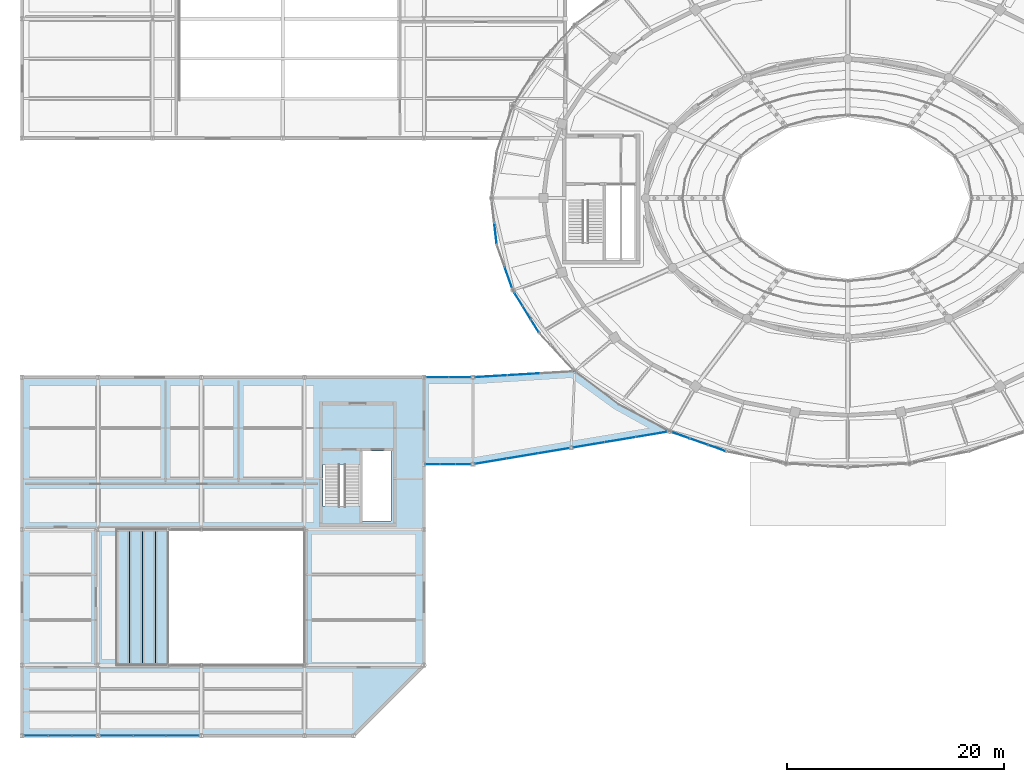
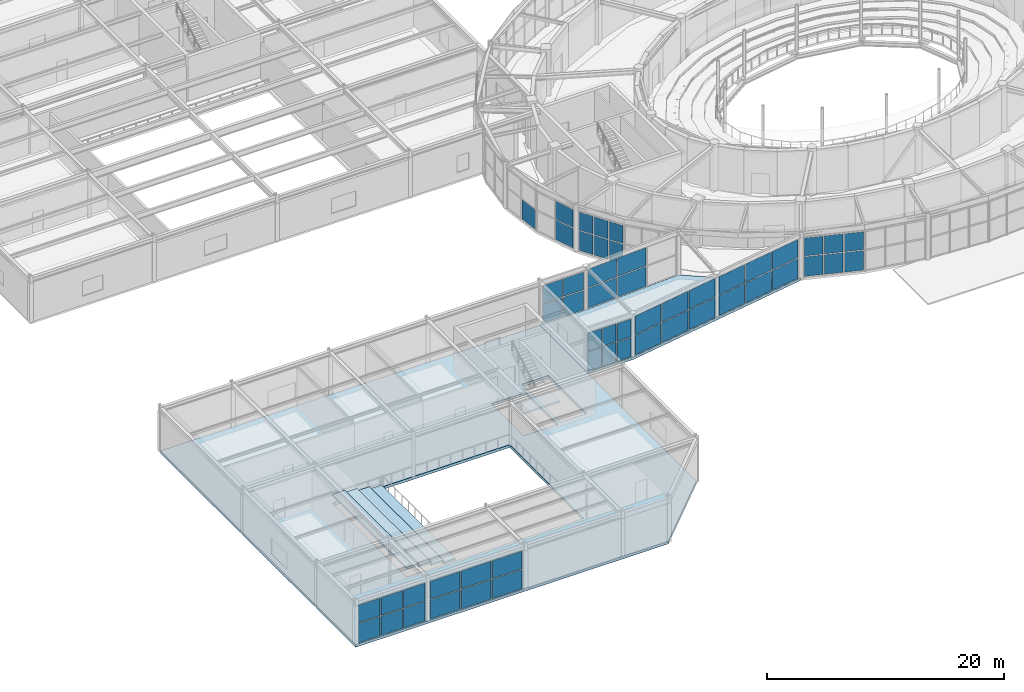
# One storey, part 68 of 100: 53 plates, 7 slabs, 12 elements without a shape of their own.
"""IFC4 building model written with IfcOpenShell, lengths in metres."""

import ifcopenshell
import ifcopenshell.guid

model = None  # the IFC model being written
_history = None  # IfcOwnerHistory: only IFC2X3 demands one
_inside = {}  # id of a spatial element -> (the spatial element, [elements in it])
_under = {}  # id of a project, library or spatial element -> (it, [spatial elements below it])
_declared = {}  # id of a project -> (the project, [libraries it declares])
_typed = {}  # id of a type object -> (the type object, [elements of that type])
_made_of = {}  # id of a material, layer set ... -> (it, [elements and type objects made of it])


def new_model(schema):
    """Start an empty IFC model of exactly this schema.

    Asked for "IFC4X3", IfcOpenShell would pick the latest addendum, in which some entities
    have other attributes; the version numbers below select the first issue.
    IFC2X3 requires an IfcOwnerHistory on every rooted entity: one is made here for all.
    """
    global model, _history
    if schema == "IFC4X3":
        model = ifcopenshell.file(schema_version=(4, 3, 0, 0))
    else:
        model = ifcopenshell.file(schema=schema)
    _inside.clear()
    _under.clear()
    _declared.clear()
    _typed.clear()
    _made_of.clear()
    _history = None
    if model.schema == "IFC2X3":
        org = make("IfcOrganization", Name="unknown")
        user = make(
            "IfcPersonAndOrganization",
            ThePerson=make("IfcPerson", FamilyName="unknown"),
            TheOrganization=org,
        )
        app = make(
            "IfcApplication",
            ApplicationDeveloper=org,
            Version="unknown",
            ApplicationFullName="unknown",
            ApplicationIdentifier="unknown",
        )
        _history = make(
            "IfcOwnerHistory",
            OwningUser=user,
            OwningApplication=app,
            ChangeAction="ADDED",
            CreationDate=0,
        )
    return model


def make(cls, **values):
    """One entity of the class cls with the attributes given. An attribute that is None is left unset."""
    return model.create_entity(
        cls, **{name: value for name, value in values.items() if value is not None}
    )


def rooted(cls, **values):
    """An entity with a GlobalId (a new one), such as an element, a storey or a relation."""
    return make(cls, GlobalId=ifcopenshell.guid.new(), OwnerHistory=_history, **values)


def si_unit(unit_type, name, prefix=None):
    """IfcSIUnit, for example si_unit("LENGTHUNIT", "METRE", prefix="MILLI")."""
    return make("IfcSIUnit", UnitType=unit_type, Prefix=prefix, Name=name)


def assignment(units):
    """IfcUnitAssignment: the units of a project."""
    return None if units is None else make("IfcUnitAssignment", Units=units)


def point(xyz):
    """IfcCartesianPoint."""
    return None if xyz is None else make("IfcCartesianPoint", Coordinates=xyz)


def direction(xyz):
    """IfcDirection."""
    return None if xyz is None else make("IfcDirection", DirectionRatios=xyz)


def frame(location, z_axis=None, x_axis=None):
    """IfcAxis2Placement3D, a coordinate frame: its origin and axes. An axis left out is left unset."""
    return make(
        "IfcAxis2Placement3D",
        Location=point(location),
        Axis=direction(z_axis),
        RefDirection=direction(x_axis),
    )


def frame_2d(location, x_axis=None):
    """IfcAxis2Placement2D, a coordinate frame in the plane: its origin and x axis."""
    return make(
        "IfcAxis2Placement2D", Location=point(location), RefDirection=direction(x_axis)
    )


def origin():
    """The frame at (0, 0, 0) with its axes left unset."""
    return frame((0.0, 0.0, 0.0))


def origin_2d():
    """The frame at (0, 0) in the plane with its x axis left unset."""
    return frame_2d((0.0, 0.0))


def place(relative_to, where):
    """IfcLocalPlacement: puts the frame where relative to a parent placement (None: the world)."""
    return make(
        "IfcLocalPlacement", PlacementRelTo=relative_to, RelativePlacement=where
    )


def context(
    kind, dimensions, precision=None, world=None, true_north=None, identifier=None
):
    """IfcGeometricRepresentationContext, for example the 3D "Model" context."""
    return make(
        "IfcGeometricRepresentationContext",
        ContextIdentifier=identifier,
        ContextType=kind,
        CoordinateSpaceDimension=dimensions,
        Precision=precision,
        WorldCoordinateSystem=world,
        TrueNorth=true_north,
    )


def subcontext(parent, identifier, kind, view, scale=None):
    """IfcGeometricRepresentationSubContext, for example "Body" below "Model"."""
    return make(
        "IfcGeometricRepresentationSubContext",
        ContextIdentifier=identifier,
        ContextType=kind,
        ParentContext=parent,
        TargetScale=scale,
        TargetView=view,
    )


def project(units=None, contexts=None):
    """IfcProject with its units and contexts."""
    return rooted(
        "IfcProject",
        Name="project",
        RepresentationContexts=contexts,
        UnitsInContext=assignment(units),
    )


def spatial(cls, under=None, at=None, **own):
    """A site, building, storey or space (cls), placed at a placement, below another one or the project."""
    s = rooted(cls, ObjectPlacement=at, **own)
    if under is not None:
        _under.setdefault(under.id(), (under, []))[1].append(s)
    return s


def polyline(points):
    """IfcPolyline through the points."""
    return make("IfcPolyline", Points=[point(p) for p in points])


def profile(cls, at=None, kind="AREA", **sizes):
    """A parametric profile (cls). Its sizes go by their IFC names, for example OverallWidth=200.0."""
    return make(cls, ProfileType=kind, Position=at, **sizes)


def rectangle(**sizes):
    """IfcRectangleProfileDef."""
    return profile("IfcRectangleProfileDef", **sizes)


def outline(outer, holes=None, kind="AREA"):
    """IfcArbitraryClosedProfileDef: a profile drawn as a closed curve; with holes, ...WithVoids."""
    if holes is None:
        return make("IfcArbitraryClosedProfileDef", ProfileType=kind, OuterCurve=outer)
    return make(
        "IfcArbitraryProfileDefWithVoids",
        ProfileType=kind,
        OuterCurve=outer,
        InnerCurves=holes,
    )


def extrude(swept, where, along, depth):
    """IfcExtrudedAreaSolid: the profile swept, set in the frame where, extruded along a direction by depth."""
    return make(
        "IfcExtrudedAreaSolid",
        SweptArea=swept,
        Position=where,
        ExtrudedDirection=direction(along),
        Depth=depth,
    )


def shape(context_of_items, identifier, shape_type, items):
    """IfcShapeRepresentation: the items that make up one representation, for example the "Body"."""
    return make(
        "IfcShapeRepresentation",
        ContextOfItems=context_of_items,
        RepresentationIdentifier=identifier,
        RepresentationType=shape_type,
        Items=items,
    )


def material(Name=None, Category=None):
    """IfcMaterial."""
    return make("IfcMaterial", Name=Name, Category=Category)


def layer(
    of_material, thickness, ventilated=None, Name=None, Category=None, Priority=None
):
    """IfcMaterialLayer: one layer of a wall or slab, of a material (None: an air gap)."""
    return make(
        "IfcMaterialLayer",
        Material=of_material,
        LayerThickness=thickness,
        IsVentilated=ventilated,
        Name=Name,
        Category=Category,
        Priority=Priority,
    )


def layer_set(layers, Name=None):
    """IfcMaterialLayerSet."""
    return make("IfcMaterialLayerSet", MaterialLayers=layers, LayerSetName=Name)


def made_of(thing, what):
    """Note that an element or type object is made of a material, layer set ...; save() writes the relation."""
    if what is not None:
        _made_of.setdefault(what.id(), (what, []))[1].append(thing)
    return thing


def type_object(cls, material=None, **own):
    """A type object (cls), such as IfcWallType, which elements share."""
    return made_of(rooted(cls, **own), material)


def element(
    cls,
    number,
    at=None,
    inside=None,
    cuts=None,
    type_object=None,
    material=None,
    context=None,
    identifier="Body",
    shape_type=None,
    held_by="IfcProductDefinitionShape",
    body=None,
    shapes=None,
    **own,
):
    """One element of the class cls, such as IfcWall. Its Tag is "e" and its number.

    at: its placement. inside: the storey or other place that contains it. cuts: it is an
    opening in that element (IfcRelVoidsElement). A single representation is given by context,
    identifier, shape_type and body (its items); several are given by shapes. held_by: the class
    of the entity that holds the representations. save() writes the other relations.
    """
    e = rooted(cls, Tag="e%d" % number, ObjectPlacement=at, **own)
    if body is not None:
        shapes = [shape(context, identifier, shape_type, body)]
    if shapes is not None:
        e.Representation = make(held_by, Representations=shapes)
    if inside is not None:
        _inside.setdefault(inside.id(), (inside, []))[1].append(e)
    if cuts is not None:
        rooted(
            "IfcRelVoidsElement", RelatingBuildingElement=cuts, RelatedOpeningElement=e
        )
    if type_object is not None:
        _typed.setdefault(type_object.id(), (type_object, []))[1].append(e)
    return made_of(e, material)


def aggregate(whole, parts):
    """IfcRelAggregates: a whole, such as a stair, and the parts it consists of."""
    return rooted("IfcRelAggregates", RelatingObject=whole, RelatedObjects=parts)


def save(model, path):
    """Write the relations noted so far, then the file.

    IfcRelAggregates (storeys below a building ...), IfcRelContainedInSpatialStructure (elements
    in a storey), IfcRelDefinesByType, IfcRelAssociatesMaterial and IfcRelDeclares: one each for
    every whole, place, type object, material and project.
    """
    for whole, parts in _under.values():
        aggregate(whole, parts)
    for where, things in _inside.values():
        rooted(
            "IfcRelContainedInSpatialStructure",
            RelatedElements=things,
            RelatingStructure=where,
        )
    for kind, things in _typed.values():
        rooted("IfcRelDefinesByType", RelatedObjects=things, RelatingType=kind)
    for what, things in _made_of.values():
        rooted("IfcRelAssociatesMaterial", RelatedObjects=things, RelatingMaterial=what)
    for by, libraries in _declared.values():
        rooted("IfcRelDeclares", RelatingContext=by, RelatedDefinitions=libraries)
    model.write(path)


model = new_model("IFC4")

# Units and contexts
model_context = context("Model", 3, precision=1e-05, world=origin(), true_north=direction((0.0, 1.0)))
body_context = subcontext(model_context, "Body", "Model", "MODEL_VIEW")
ifc_project = project(units=[si_unit("LENGTHUNIT", "METRE"), si_unit("AREAUNIT", "SQUARE_METRE"), si_unit("VOLUMEUNIT", "CUBIC_METRE"), si_unit("PLANEANGLEUNIT", "RADIAN"), si_unit("MASSUNIT", "GRAM", prefix="KILO")], contexts=[model_context])

# Site, building, storey
site_placement = place(None, origin())
site = spatial("IfcSite", under=ifc_project, at=site_placement, CompositionType="ELEMENT")
building_placement = place(site_placement, origin())
building = spatial("IfcBuilding", under=site, at=building_placement, Name="Tarnveldt Headland Concert Hall", CompositionType="ELEMENT")
storey_placement = place(building_placement, frame((0.0, 0.0, 4.800048828125)))
storey = spatial("IfcBuildingStorey", under=building, at=storey_placement, Name="L01", CompositionType="ELEMENT", Elevation=4.800048828125)

# Curtain wall, plate
ifc_material_1 = material(Name="Marine-anodised aluminium EN AW-6063-T6", Category="aluminium")
curtain_wall_type_1 = type_object("IfcCurtainWallType", Name="CW-F2", PredefinedType="NOTDEFINED", material=ifc_material_1)
curtain_wall_1_placement = place(storey_placement, origin())
curtain_wall_1 = element("IfcCurtainWall", 1, at=curtain_wall_1_placement, inside=storey, type_object=curtain_wall_type_1, Name="Curtain wall CW-L01-045", PredefinedType="NOTDEFINED")
ifc_material_2 = material(Name="Acoustic laminated low-iron double glazing", Category="glass")
ifc_layer_1 = layer(ifc_material_2, 0.030029296875, Name="Acoustic laminated low-iron double glazing", Category="glass")
ifc_layer_set_1 = layer_set([ifc_layer_1], Name="Acoustic laminated low-iron double glazing")
plate_type_1 = type_object("IfcPlateType", Name="PN-F2", PredefinedType="CURTAIN_PANEL", material=ifc_layer_set_1)
plate_1_placement = place(storey_placement, frame((51.077392578125, 51.239501953125, 0.09228515625), z_axis=(0.0, 0.0, 1.0), x_axis=(0.114937150493, -0.9933727656, 0.0)))
plate_1 = element("IfcPlate", 2, at=plate_1_placement, type_object=plate_type_1, Name="Glazed panel CW-L01-045-2-1", PredefinedType="CURTAIN_PANEL", context=body_context, shape_type="SweptSolid", body=[
    extrude(rectangle(XDim=1.906982421875, YDim=0.030029296875, at=origin_2d()), origin(), (0.0, 0.0, 1.0), 2.0283203125),
])
aggregate(curtain_wall_1, [plate_1])

# Curtain wall, plates
curtain_wall_2_placement = place(storey_placement, origin())
curtain_wall_2 = element("IfcCurtainWall", 3, at=curtain_wall_2_placement, inside=storey, type_object=curtain_wall_type_1, Name="Curtain wall CW-L01-046", PredefinedType="NOTDEFINED")
plate_2_placement = place(storey_placement, frame((52.25048828125, 47.224365234375, 0.09228515625), z_axis=(0.0, 0.0, 1.0), x_axis=(0.334037180034, -0.94255989855, 0.0)))
plate_2 = element("IfcPlate", 4, at=plate_2_placement, type_object=plate_type_1, Name="Glazed panel CW-L01-046-2-1", PredefinedType="CURTAIN_PANEL", context=body_context, shape_type="SweptSolid", body=[
    extrude(rectangle(XDim=1.954345703125, YDim=0.030029296875, at=origin_2d()), origin(), (0.0, 0.0, 1.0), 2.0283203125),
])
plate_3_placement = place(storey_placement, frame((52.25048828125, 47.224365234375, 2.20556640625), z_axis=(0.0, 0.0, 1.0), x_axis=(0.334037180034, -0.94255989855, 0.0)))
plate_3 = element("IfcPlate", 5, at=plate_3_placement, type_object=plate_type_1, Name="Glazed panel CW-L01-046-2-2", PredefinedType="CURTAIN_PANEL", context=body_context, shape_type="SweptSolid", body=[
    extrude(rectangle(XDim=1.954345703125, YDim=0.030029296875, at=origin_2d()), origin(), (0.0, 0.0, 1.0), 1.86181640625),
])
aggregate(curtain_wall_2, [plate_2, plate_3])

curtain_wall_3_placement = place(storey_placement, origin())
curtain_wall_3 = element("IfcCurtainWall", 6, at=curtain_wall_3_placement, inside=storey, type_object=curtain_wall_type_1, Name="Curtain wall CW-L01-047", PredefinedType="NOTDEFINED")
plate_4_placement = place(storey_placement, frame((53.18359375, 45.197998046875, 0.09228515625), z_axis=(0.0, 0.0, 1.0), x_axis=(0.524922111703, -0.851150266783, 0.0)))
plate_4 = element("IfcPlate", 7, at=plate_4_placement, type_object=plate_type_1, Name="Glazed panel CW-L01-047-1-1", PredefinedType="CURTAIN_PANEL", context=body_context, shape_type="SweptSolid", body=[
    extrude(rectangle(XDim=1.321044921875, YDim=0.030029296875, at=origin_2d()), origin(), (0.0, 0.0, 1.0), 2.0283203125),
])
plate_5_placement = place(storey_placement, frame((53.18359375, 45.197998046875, 2.20556640625), z_axis=(0.0, 0.0, 1.0), x_axis=(0.524922111703, -0.851150266783, 0.0)))
plate_5 = element("IfcPlate", 8, at=plate_5_placement, type_object=plate_type_1, Name="Glazed panel CW-L01-047-1-2", PredefinedType="CURTAIN_PANEL", context=body_context, shape_type="SweptSolid", body=[
    extrude(rectangle(XDim=1.321044921875, YDim=0.030029296875, at=origin_2d()), origin(), (0.0, 0.0, 1.0), 1.86181640625),
])
plate_6_placement = place(storey_placement, frame((53.939697265625, 43.972412109375, 0.09228515625), z_axis=(0.0, 0.0, 1.0), x_axis=(0.524922111703, -0.851150266783, 0.0)))
plate_6 = element("IfcPlate", 9, at=plate_6_placement, type_object=plate_type_1, Name="Glazed panel CW-L01-047-2-1", PredefinedType="CURTAIN_PANEL", context=body_context, shape_type="SweptSolid", body=[
    extrude(rectangle(XDim=1.321044921875, YDim=0.030029296875, at=origin_2d()), origin(), (0.0, 0.0, 1.0), 2.0283203125),
])
plate_7_placement = place(storey_placement, frame((53.939697265625, 43.972412109375, 2.20556640625), z_axis=(0.0, 0.0, 1.0), x_axis=(0.524922111703, -0.851150266783, 0.0)))
plate_7 = element("IfcPlate", 10, at=plate_7_placement, type_object=plate_type_1, Name="Glazed panel CW-L01-047-2-2", PredefinedType="CURTAIN_PANEL", context=body_context, shape_type="SweptSolid", body=[
    extrude(rectangle(XDim=1.321044921875, YDim=0.030029296875, at=origin_2d()), origin(), (0.0, 0.0, 1.0), 1.86181640625),
])
plate_8_placement = place(storey_placement, frame((54.695556640625, 42.746826171875, 0.09228515625), z_axis=(0.0, 0.0, 1.0), x_axis=(0.524922111703, -0.851150266783, 0.0)))
plate_8 = element("IfcPlate", 11, at=plate_8_placement, type_object=plate_type_1, Name="Glazed panel CW-L01-047-3-1", PredefinedType="CURTAIN_PANEL", context=body_context, shape_type="SweptSolid", body=[
    extrude(rectangle(XDim=1.321044921875, YDim=0.030029296875, at=origin_2d()), origin(), (0.0, 0.0, 1.0), 2.0283203125),
])
plate_9_placement = place(storey_placement, frame((54.695556640625, 42.746826171875, 2.20556640625), z_axis=(0.0, 0.0, 1.0), x_axis=(0.524922111703, -0.851150266783, 0.0)))
plate_9 = element("IfcPlate", 12, at=plate_9_placement, type_object=plate_type_1, Name="Glazed panel CW-L01-047-3-2", PredefinedType="CURTAIN_PANEL", context=body_context, shape_type="SweptSolid", body=[
    extrude(rectangle(XDim=1.321044921875, YDim=0.030029296875, at=origin_2d()), origin(), (0.0, 0.0, 1.0), 1.86181640625),
])
aggregate(curtain_wall_3, [plate_4, plate_5, plate_6, plate_7, plate_8, plate_9])

curtain_wall_4_placement = place(storey_placement, origin())
curtain_wall_4 = element("IfcCurtainWall", 13, at=curtain_wall_4_placement, inside=storey, type_object=curtain_wall_type_1, Name="Curtain wall CW-L01-049", PredefinedType="NOTDEFINED")
plate_10_placement = place(storey_placement, frame((68.1484375, 32.65283203125, 0.09228515625), z_axis=(0.0, 0.0, 1.0), x_axis=(0.9430950477, -0.33252327889, 0.0)))
plate_10 = element("IfcPlate", 14, at=plate_10_placement, type_object=plate_type_1, Name="Glazed panel CW-L01-049-1-1", PredefinedType="CURTAIN_PANEL", context=body_context, shape_type="SweptSolid", body=[
    extrude(rectangle(XDim=1.617919921875, YDim=0.030029296875, at=origin_2d()), origin(), (0.0, 0.0, 1.0), 2.0283203125),
])
plate_11_placement = place(storey_placement, frame((68.1484375, 32.65283203125, 2.20556640625), z_axis=(0.0, 0.0, 1.0), x_axis=(0.9430950477, -0.33252327889, 0.0)))
plate_11 = element("IfcPlate", 15, at=plate_11_placement, type_object=plate_type_1, Name="Glazed panel CW-L01-049-1-2", PredefinedType="CURTAIN_PANEL", context=body_context, shape_type="SweptSolid", body=[
    extrude(rectangle(XDim=1.617919921875, YDim=0.030029296875, at=origin_2d()), origin(), (0.0, 0.0, 1.0), 1.86181640625),
])
plate_12_placement = place(storey_placement, frame((69.78662109375, 32.0751953125, 0.09228515625), z_axis=(0.0, 0.0, 1.0), x_axis=(0.9430950477, -0.33252327889, 0.0)))
plate_12 = element("IfcPlate", 16, at=plate_12_placement, type_object=plate_type_1, Name="Glazed panel CW-L01-049-2-1", PredefinedType="CURTAIN_PANEL", context=body_context, shape_type="SweptSolid", body=[
    extrude(rectangle(XDim=1.617919921875, YDim=0.030029296875, at=origin_2d()), origin(), (0.0, 0.0, 1.0), 2.0283203125),
])
plate_13_placement = place(storey_placement, frame((69.78662109375, 32.0751953125, 2.20556640625), z_axis=(0.0, 0.0, 1.0), x_axis=(0.9430950477, -0.33252327889, 0.0)))
plate_13 = element("IfcPlate", 17, at=plate_13_placement, type_object=plate_type_1, Name="Glazed panel CW-L01-049-2-2", PredefinedType="CURTAIN_PANEL", context=body_context, shape_type="SweptSolid", body=[
    extrude(rectangle(XDim=1.617919921875, YDim=0.030029296875, at=origin_2d()), origin(), (0.0, 0.0, 1.0), 1.86181640625),
])
plate_14_placement = place(storey_placement, frame((71.4248046875, 31.497802734375, 0.09228515625), z_axis=(0.0, 0.0, 1.0), x_axis=(0.9430950477, -0.33252327889, 0.0)))
plate_14 = element("IfcPlate", 18, at=plate_14_placement, type_object=plate_type_1, Name="Glazed panel CW-L01-049-3-1", PredefinedType="CURTAIN_PANEL", context=body_context, shape_type="SweptSolid", body=[
    extrude(rectangle(XDim=1.617919921875, YDim=0.030029296875, at=origin_2d()), origin(), (0.0, 0.0, 1.0), 2.0283203125),
])
plate_15_placement = place(storey_placement, frame((71.4248046875, 31.497802734375, 2.20556640625), z_axis=(0.0, 0.0, 1.0), x_axis=(0.9430950477, -0.33252327889, 0.0)))
plate_15 = element("IfcPlate", 19, at=plate_15_placement, type_object=plate_type_1, Name="Glazed panel CW-L01-049-3-2", PredefinedType="CURTAIN_PANEL", context=body_context, shape_type="SweptSolid", body=[
    extrude(rectangle(XDim=1.617919921875, YDim=0.030029296875, at=origin_2d()), origin(), (0.0, 0.0, 1.0), 1.86181640625),
])
aggregate(curtain_wall_4, [plate_10, plate_11, plate_12, plate_13, plate_14, plate_15])

curtain_wall_type_2 = type_object("IfcCurtainWallType", Name="CW-L2", PredefinedType="NOTDEFINED", material=ifc_material_1)
curtain_wall_5_placement = place(storey_placement, origin())
curtain_wall_5 = element("IfcCurtainWall", 20, at=curtain_wall_5_placement, inside=storey, type_object=curtain_wall_type_2, Name="Curtain wall CW-L01-165", PredefinedType="NOTDEFINED")
ifc_layer_2 = layer(ifc_material_2, 0.02294921875, Name="Acoustic laminated low-iron double glazing", Category="glass")
ifc_layer_set_2 = layer_set([ifc_layer_2], Name="Acoustic laminated low-iron double glazing")
plate_type_2 = type_object("IfcPlateType", Name="PN-L2", PredefinedType="CURTAIN_PANEL", material=ifc_layer_set_2)
plate_16_placement = place(storey_placement, frame((8.81005859375, 5.0, 0.08984375), z_axis=(0.0, 0.0, 1.0), x_axis=(1.0, 0.0, 0.0)))
plate_16 = element("IfcPlate", 21, at=plate_16_placement, type_object=plate_type_2, Name="Glazed panel CW-L01-165-1-1", PredefinedType="CURTAIN_PANEL", context=body_context, shape_type="SweptSolid", body=[
    extrude(rectangle(XDim=2.0859375, YDim=0.02294921875, at=origin_2d()), origin(), (0.0, 0.0, 1.0), 1.990478515625),
])
plate_17_placement = place(storey_placement, frame((8.81005859375, 5.0, 2.16064453125), z_axis=(0.0, 0.0, 1.0), x_axis=(1.0, 0.0, 0.0)))
plate_17 = element("IfcPlate", 22, at=plate_17_placement, type_object=plate_type_2, Name="Glazed panel CW-L01-165-1-2", PredefinedType="CURTAIN_PANEL", context=body_context, shape_type="SweptSolid", body=[
    extrude(rectangle(XDim=2.0859375, YDim=0.02294921875, at=origin_2d()), origin(), (0.0, 0.0, 1.0), 1.827392578125),
])
plate_18_placement = place(storey_placement, frame((11.0, 5.0, 0.08984375), z_axis=(0.0, 0.0, 1.0), x_axis=(1.0, 0.0, 0.0)))
plate_18 = element("IfcPlate", 23, at=plate_18_placement, type_object=plate_type_2, Name="Glazed panel CW-L01-165-2-1", PredefinedType="CURTAIN_PANEL", context=body_context, shape_type="SweptSolid", body=[
    extrude(rectangle(XDim=2.0859375, YDim=0.02294921875, at=origin_2d()), origin(), (0.0, 0.0, 1.0), 1.990478515625),
])
plate_19_placement = place(storey_placement, frame((11.0, 5.0, 2.16064453125), z_axis=(0.0, 0.0, 1.0), x_axis=(1.0, 0.0, 0.0)))
plate_19 = element("IfcPlate", 24, at=plate_19_placement, type_object=plate_type_2, Name="Glazed panel CW-L01-165-2-2", PredefinedType="CURTAIN_PANEL", context=body_context, shape_type="SweptSolid", body=[
    extrude(rectangle(XDim=2.0859375, YDim=0.02294921875, at=origin_2d()), origin(), (0.0, 0.0, 1.0), 1.827392578125),
])
plate_20_placement = place(storey_placement, frame((13.18994140625, 5.0, 0.08984375), z_axis=(0.0, 0.0, 1.0), x_axis=(1.0, 0.0, 0.0)))
plate_20 = element("IfcPlate", 25, at=plate_20_placement, type_object=plate_type_2, Name="Glazed panel CW-L01-165-3-1", PredefinedType="CURTAIN_PANEL", context=body_context, shape_type="SweptSolid", body=[
    extrude(rectangle(XDim=2.0859375, YDim=0.02294921875, at=origin_2d()), origin(), (0.0, 0.0, 1.0), 1.990478515625),
])
plate_21_placement = place(storey_placement, frame((13.18994140625, 5.0, 2.16064453125), z_axis=(0.0, 0.0, 1.0), x_axis=(1.0, 0.0, 0.0)))
plate_21 = element("IfcPlate", 26, at=plate_21_placement, type_object=plate_type_2, Name="Glazed panel CW-L01-165-3-2", PredefinedType="CURTAIN_PANEL", context=body_context, shape_type="SweptSolid", body=[
    extrude(rectangle(XDim=2.0859375, YDim=0.02294921875, at=origin_2d()), origin(), (0.0, 0.0, 1.0), 1.827392578125),
])
aggregate(curtain_wall_5, [plate_16, plate_17, plate_18, plate_19, plate_20, plate_21])

curtain_wall_6_placement = place(storey_placement, origin())
curtain_wall_6 = element("IfcCurtainWall", 27, at=curtain_wall_6_placement, inside=storey, type_object=curtain_wall_type_2, Name="Curtain wall CW-L01-166", PredefinedType="NOTDEFINED")
plate_22_placement = place(storey_placement, frame((16.226806640625, 5.0, 0.08984375), z_axis=(0.0, 0.0, 1.0), x_axis=(1.0, 0.0, 0.0)))
plate_22 = element("IfcPlate", 28, at=plate_22_placement, type_object=plate_type_2, Name="Glazed panel CW-L01-166-1-1", PredefinedType="CURTAIN_PANEL", context=body_context, shape_type="SweptSolid", body=[
    extrude(rectangle(XDim=2.919189453125, YDim=0.02294921875, at=origin_2d()), origin(), (0.0, 0.0, 1.0), 1.990478515625),
])
plate_23_placement = place(storey_placement, frame((16.226806640625, 5.0, 2.16064453125), z_axis=(0.0, 0.0, 1.0), x_axis=(1.0, 0.0, 0.0)))
plate_23 = element("IfcPlate", 29, at=plate_23_placement, type_object=plate_type_2, Name="Glazed panel CW-L01-166-1-2", PredefinedType="CURTAIN_PANEL", context=body_context, shape_type="SweptSolid", body=[
    extrude(rectangle(XDim=2.919189453125, YDim=0.02294921875, at=origin_2d()), origin(), (0.0, 0.0, 1.0), 1.827392578125),
])
plate_24_placement = place(storey_placement, frame((19.25, 5.0, 0.08984375), z_axis=(0.0, 0.0, 1.0), x_axis=(1.0, 0.0, 0.0)))
plate_24 = element("IfcPlate", 30, at=plate_24_placement, type_object=plate_type_2, Name="Glazed panel CW-L01-166-2-1", PredefinedType="CURTAIN_PANEL", context=body_context, shape_type="SweptSolid", body=[
    extrude(rectangle(XDim=2.919189453125, YDim=0.02294921875, at=origin_2d()), origin(), (0.0, 0.0, 1.0), 1.990478515625),
])
plate_25_placement = place(storey_placement, frame((19.25, 5.0, 2.16064453125), z_axis=(0.0, 0.0, 1.0), x_axis=(1.0, 0.0, 0.0)))
plate_25 = element("IfcPlate", 31, at=plate_25_placement, type_object=plate_type_2, Name="Glazed panel CW-L01-166-2-2", PredefinedType="CURTAIN_PANEL", context=body_context, shape_type="SweptSolid", body=[
    extrude(rectangle(XDim=2.919189453125, YDim=0.02294921875, at=origin_2d()), origin(), (0.0, 0.0, 1.0), 1.827392578125),
])
plate_26_placement = place(storey_placement, frame((22.273193359375, 5.0, 0.08984375), z_axis=(0.0, 0.0, 1.0), x_axis=(1.0, 0.0, 0.0)))
plate_26 = element("IfcPlate", 32, at=plate_26_placement, type_object=plate_type_2, Name="Glazed panel CW-L01-166-3-1", PredefinedType="CURTAIN_PANEL", context=body_context, shape_type="SweptSolid", body=[
    extrude(rectangle(XDim=2.919189453125, YDim=0.02294921875, at=origin_2d()), origin(), (0.0, 0.0, 1.0), 1.990478515625),
])
plate_27_placement = place(storey_placement, frame((22.273193359375, 5.0, 2.16064453125), z_axis=(0.0, 0.0, 1.0), x_axis=(1.0, 0.0, 0.0)))
plate_27 = element("IfcPlate", 33, at=plate_27_placement, type_object=plate_type_2, Name="Glazed panel CW-L01-166-3-2", PredefinedType="CURTAIN_PANEL", context=body_context, shape_type="SweptSolid", body=[
    extrude(rectangle(XDim=2.919189453125, YDim=0.02294921875, at=origin_2d()), origin(), (0.0, 0.0, 1.0), 1.827392578125),
])
aggregate(curtain_wall_6, [plate_22, plate_23, plate_24, plate_25, plate_26, plate_27])

curtain_wall_7_placement = place(storey_placement, origin())
curtain_wall_7 = element("IfcCurtainWall", 34, at=curtain_wall_7_placement, inside=storey, type_object=curtain_wall_type_2, Name="Curtain wall CW-L01-172", PredefinedType="NOTDEFINED")
plate_28_placement = place(storey_placement, frame((45.25390625, 30.0, 0.08984375), z_axis=(0.0, 0.0, 1.0), x_axis=(1.0, 0.0, 0.0)))
plate_28 = element("IfcPlate", 35, at=plate_28_placement, type_object=plate_type_2, Name="Glazed panel CW-L01-172-1-1", PredefinedType="CURTAIN_PANEL", context=body_context, shape_type="SweptSolid", body=[
    extrude(rectangle(XDim=1.32373046875, YDim=0.02294921875, at=origin_2d()), origin(), (0.0, 0.0, 1.0), 1.990478515625),
])
plate_29_placement = place(storey_placement, frame((45.25390625, 30.0, 2.16064453125), z_axis=(0.0, 0.0, 1.0), x_axis=(1.0, 0.0, 0.0)))
plate_29 = element("IfcPlate", 36, at=plate_29_placement, type_object=plate_type_2, Name="Glazed panel CW-L01-172-1-2", PredefinedType="CURTAIN_PANEL", context=body_context, shape_type="SweptSolid", body=[
    extrude(rectangle(XDim=1.32373046875, YDim=0.02294921875, at=origin_2d()), origin(), (0.0, 0.0, 1.0), 1.827392578125),
])
plate_30_placement = place(storey_placement, frame((46.681884765625, 30.0, 0.08984375), z_axis=(0.0, 0.0, 1.0), x_axis=(1.0, 0.0, 0.0)))
plate_30 = element("IfcPlate", 37, at=plate_30_placement, type_object=plate_type_2, Name="Glazed panel CW-L01-172-2-1", PredefinedType="CURTAIN_PANEL", context=body_context, shape_type="SweptSolid", body=[
    extrude(rectangle(XDim=1.32373046875, YDim=0.02294921875, at=origin_2d()), origin(), (0.0, 0.0, 1.0), 1.990478515625),
])
plate_31_placement = place(storey_placement, frame((46.681884765625, 30.0, 2.16064453125), z_axis=(0.0, 0.0, 1.0), x_axis=(1.0, 0.0, 0.0)))
plate_31 = element("IfcPlate", 38, at=plate_31_placement, type_object=plate_type_2, Name="Glazed panel CW-L01-172-2-2", PredefinedType="CURTAIN_PANEL", context=body_context, shape_type="SweptSolid", body=[
    extrude(rectangle(XDim=1.32373046875, YDim=0.02294921875, at=origin_2d()), origin(), (0.0, 0.0, 1.0), 1.827392578125),
])
plate_32_placement = place(storey_placement, frame((48.109619140625, 30.0, 0.08984375), z_axis=(0.0, 0.0, 1.0), x_axis=(1.0, 0.0, 0.0)))
plate_32 = element("IfcPlate", 39, at=plate_32_placement, type_object=plate_type_2, Name="Glazed panel CW-L01-172-3-1", PredefinedType="CURTAIN_PANEL", context=body_context, shape_type="SweptSolid", body=[
    extrude(rectangle(XDim=1.32373046875, YDim=0.02294921875, at=origin_2d()), origin(), (0.0, 0.0, 1.0), 1.990478515625),
])
plate_33_placement = place(storey_placement, frame((48.109619140625, 30.0, 2.16064453125), z_axis=(0.0, 0.0, 1.0), x_axis=(1.0, 0.0, 0.0)))
plate_33 = element("IfcPlate", 40, at=plate_33_placement, type_object=plate_type_2, Name="Glazed panel CW-L01-172-3-2", PredefinedType="CURTAIN_PANEL", context=body_context, shape_type="SweptSolid", body=[
    extrude(rectangle(XDim=1.32373046875, YDim=0.02294921875, at=origin_2d()), origin(), (0.0, 0.0, 1.0), 1.827392578125),
])
aggregate(curtain_wall_7, [plate_28, plate_29, plate_30, plate_31, plate_32, plate_33])

curtain_wall_8_placement = place(storey_placement, origin())
curtain_wall_8 = element("IfcCurtainWall", 41, at=curtain_wall_8_placement, inside=storey, type_object=curtain_wall_type_2, Name="Curtain wall CW-L01-173", PredefinedType="NOTDEFINED")
plate_34_placement = place(storey_placement, frame((50.62451171875, 30.271240234375, 0.090087890625), z_axis=(0.0, 0.0, 1.0), x_axis=(0.986343153931, 0.16470331719, 0.0)))
plate_34 = element("IfcPlate", 42, at=plate_34_placement, type_object=plate_type_2, Name="Glazed panel CW-L01-173-1-1", PredefinedType="CURTAIN_PANEL", context=body_context, shape_type="SweptSolid", body=[
    extrude(rectangle(XDim=2.8369140625, YDim=0.02294921875, at=origin_2d()), origin(), (0.0, 0.0, 1.0), 2.05029296875),
])
plate_35_placement = place(storey_placement, frame((50.62451171875, 30.271240234375, 2.22021484375), z_axis=(0.0, 0.0, 1.0), x_axis=(0.986343153931, 0.16470331719, 0.0)))
plate_35 = element("IfcPlate", 43, at=plate_35_placement, type_object=plate_type_2, Name="Glazed panel CW-L01-173-1-2", PredefinedType="CURTAIN_PANEL", context=body_context, shape_type="SweptSolid", body=[
    extrude(rectangle(XDim=2.8369140625, YDim=0.02294921875, at=origin_2d()), origin(), (0.0, 0.0, 1.0), 1.882568359375),
])
plate_36_placement = place(storey_placement, frame((53.52490234375, 30.755615234375, 0.090087890625), z_axis=(0.0, 0.0, 1.0), x_axis=(0.986343153931, 0.16470331719, 0.0)))
plate_36 = element("IfcPlate", 44, at=plate_36_placement, type_object=plate_type_2, Name="Glazed panel CW-L01-173-2-1", PredefinedType="CURTAIN_PANEL", context=body_context, shape_type="SweptSolid", body=[
    extrude(rectangle(XDim=2.8369140625, YDim=0.02294921875, at=origin_2d()), origin(), (0.0, 0.0, 1.0), 2.05029296875),
])
plate_37_placement = place(storey_placement, frame((53.52490234375, 30.755615234375, 2.22021484375), z_axis=(0.0, 0.0, 1.0), x_axis=(0.986343153931, 0.16470331719, 0.0)))
plate_37 = element("IfcPlate", 45, at=plate_37_placement, type_object=plate_type_2, Name="Glazed panel CW-L01-173-2-2", PredefinedType="CURTAIN_PANEL", context=body_context, shape_type="SweptSolid", body=[
    extrude(rectangle(XDim=2.8369140625, YDim=0.02294921875, at=origin_2d()), origin(), (0.0, 0.0, 1.0), 1.882568359375),
])
plate_38_placement = place(storey_placement, frame((56.425537109375, 31.239990234375, 0.090087890625), z_axis=(0.0, 0.0, 1.0), x_axis=(0.986343153931, 0.16470331719, 0.0)))
plate_38 = element("IfcPlate", 46, at=plate_38_placement, type_object=plate_type_2, Name="Glazed panel CW-L01-173-3-1", PredefinedType="CURTAIN_PANEL", context=body_context, shape_type="SweptSolid", body=[
    extrude(rectangle(XDim=2.8369140625, YDim=0.02294921875, at=origin_2d()), origin(), (0.0, 0.0, 1.0), 2.05029296875),
])
plate_39_placement = place(storey_placement, frame((56.425537109375, 31.239990234375, 2.22021484375), z_axis=(0.0, 0.0, 1.0), x_axis=(0.986343153931, 0.16470331719, 0.0)))
plate_39 = element("IfcPlate", 47, at=plate_39_placement, type_object=plate_type_2, Name="Glazed panel CW-L01-173-3-2", PredefinedType="CURTAIN_PANEL", context=body_context, shape_type="SweptSolid", body=[
    extrude(rectangle(XDim=2.8369140625, YDim=0.02294921875, at=origin_2d()), origin(), (0.0, 0.0, 1.0), 1.882568359375),
])
aggregate(curtain_wall_8, [plate_34, plate_35, plate_36, plate_37, plate_38, plate_39])

curtain_wall_9_placement = place(storey_placement, origin())
curtain_wall_9 = element("IfcCurtainWall", 48, at=curtain_wall_9_placement, inside=storey, type_object=curtain_wall_type_2, Name="Curtain wall CW-L01-174", PredefinedType="NOTDEFINED")
plate_40_placement = place(storey_placement, frame((59.663330078125, 31.78076171875, 0.090087890625), z_axis=(0.0, 0.0, 1.0), x_axis=(0.986343153931, 0.16470331719, 0.0)))
plate_40 = element("IfcPlate", 49, at=plate_40_placement, type_object=plate_type_2, Name="Glazed panel CW-L01-174-1-1", PredefinedType="CURTAIN_PANEL", context=body_context, shape_type="SweptSolid", body=[
    extrude(rectangle(XDim=2.814453125, YDim=0.02294921875, at=origin_2d()), origin(), (0.0, 0.0, 1.0), 2.05029296875),
])
plate_41_placement = place(storey_placement, frame((59.663330078125, 31.78076171875, 2.22021484375), z_axis=(0.0, 0.0, 1.0), x_axis=(0.986343153931, 0.16470331719, 0.0)))
plate_41 = element("IfcPlate", 50, at=plate_41_placement, type_object=plate_type_2, Name="Glazed panel CW-L01-174-1-2", PredefinedType="CURTAIN_PANEL", context=body_context, shape_type="SweptSolid", body=[
    extrude(rectangle(XDim=2.814453125, YDim=0.02294921875, at=origin_2d()), origin(), (0.0, 0.0, 1.0), 1.882568359375),
])
plate_42_placement = place(storey_placement, frame((62.5419921875, 32.261474609375, 0.090087890625), z_axis=(0.0, 0.0, 1.0), x_axis=(0.986343153931, 0.16470331719, 0.0)))
plate_42 = element("IfcPlate", 51, at=plate_42_placement, type_object=plate_type_2, Name="Glazed panel CW-L01-174-2-1", PredefinedType="CURTAIN_PANEL", context=body_context, shape_type="SweptSolid", body=[
    extrude(rectangle(XDim=2.814453125, YDim=0.02294921875, at=origin_2d()), origin(), (0.0, 0.0, 1.0), 2.05029296875),
])
plate_43_placement = place(storey_placement, frame((62.5419921875, 32.261474609375, 2.22021484375), z_axis=(0.0, 0.0, 1.0), x_axis=(0.986343153931, 0.16470331719, 0.0)))
plate_43 = element("IfcPlate", 52, at=plate_43_placement, type_object=plate_type_2, Name="Glazed panel CW-L01-174-2-2", PredefinedType="CURTAIN_PANEL", context=body_context, shape_type="SweptSolid", body=[
    extrude(rectangle(XDim=2.814453125, YDim=0.02294921875, at=origin_2d()), origin(), (0.0, 0.0, 1.0), 1.882568359375),
])
plate_44_placement = place(storey_placement, frame((65.4208984375, 32.7421875, 0.090087890625), z_axis=(0.0, 0.0, 1.0), x_axis=(0.986343153931, 0.16470331719, 0.0)))
plate_44 = element("IfcPlate", 53, at=plate_44_placement, type_object=plate_type_2, Name="Glazed panel CW-L01-174-3-1", PredefinedType="CURTAIN_PANEL", context=body_context, shape_type="SweptSolid", body=[
    extrude(rectangle(XDim=2.814453125, YDim=0.02294921875, at=origin_2d()), origin(), (0.0, 0.0, 1.0), 2.05029296875),
])
plate_45_placement = place(storey_placement, frame((65.4208984375, 32.7421875, 2.22021484375), z_axis=(0.0, 0.0, 1.0), x_axis=(0.986343153931, 0.16470331719, 0.0)))
plate_45 = element("IfcPlate", 54, at=plate_45_placement, type_object=plate_type_2, Name="Glazed panel CW-L01-174-3-2", PredefinedType="CURTAIN_PANEL", context=body_context, shape_type="SweptSolid", body=[
    extrude(rectangle(XDim=2.814453125, YDim=0.02294921875, at=origin_2d()), origin(), (0.0, 0.0, 1.0), 1.882568359375),
])
aggregate(curtain_wall_9, [plate_40, plate_41, plate_42, plate_43, plate_44, plate_45])

curtain_wall_10_placement = place(storey_placement, origin())
curtain_wall_10 = element("IfcCurtainWall", 55, at=curtain_wall_10_placement, inside=storey, type_object=curtain_wall_type_2, Name="Curtain wall CW-L01-175", PredefinedType="NOTDEFINED")
plate_46_placement = place(storey_placement, frame((45.7421875, 38.0, 0.08984375), z_axis=(0.0, 0.0, 1.0), x_axis=(1.0, 0.0, 0.0)))
plate_46 = element("IfcPlate", 56, at=plate_46_placement, type_object=plate_type_2, Name="Glazed panel CW-L01-175-1-1", PredefinedType="CURTAIN_PANEL", context=body_context, shape_type="SweptSolid", body=[
    extrude(rectangle(XDim=1.9501953125, YDim=0.02294921875, at=origin_2d()), origin(), (0.0, 0.0, 1.0), 1.990478515625),
])
plate_47_placement = place(storey_placement, frame((45.7421875, 38.0, 2.16064453125), z_axis=(0.0, 0.0, 1.0), x_axis=(1.0, 0.0, 0.0)))
plate_47 = element("IfcPlate", 57, at=plate_47_placement, type_object=plate_type_2, Name="Glazed panel CW-L01-175-1-2", PredefinedType="CURTAIN_PANEL", context=body_context, shape_type="SweptSolid", body=[
    extrude(rectangle(XDim=1.9501953125, YDim=0.02294921875, at=origin_2d()), origin(), (0.0, 0.0, 1.0), 1.827392578125),
])
plate_48_placement = place(storey_placement, frame((47.79638671875, 38.0, 0.08984375), z_axis=(0.0, 0.0, 1.0), x_axis=(1.0, 0.0, 0.0)))
plate_48 = element("IfcPlate", 58, at=plate_48_placement, type_object=plate_type_2, Name="Glazed panel CW-L01-175-2-1", PredefinedType="CURTAIN_PANEL", context=body_context, shape_type="SweptSolid", body=[
    extrude(rectangle(XDim=1.9501953125, YDim=0.02294921875, at=origin_2d()), origin(), (0.0, 0.0, 1.0), 1.990478515625),
])
plate_49_placement = place(storey_placement, frame((47.79638671875, 38.0, 2.16064453125), z_axis=(0.0, 0.0, 1.0), x_axis=(1.0, 0.0, 0.0)))
plate_49 = element("IfcPlate", 59, at=plate_49_placement, type_object=plate_type_2, Name="Glazed panel CW-L01-175-2-2", PredefinedType="CURTAIN_PANEL", context=body_context, shape_type="SweptSolid", body=[
    extrude(rectangle(XDim=1.9501953125, YDim=0.02294921875, at=origin_2d()), origin(), (0.0, 0.0, 1.0), 1.827392578125),
])
aggregate(curtain_wall_10, [plate_46, plate_47, plate_48, plate_49])

curtain_wall_11_placement = place(storey_placement, origin())
curtain_wall_11 = element("IfcCurtainWall", 60, at=curtain_wall_11_placement, inside=storey, type_object=curtain_wall_type_2, Name="Curtain wall CW-L01-176", PredefinedType="NOTDEFINED")
plate_50_placement = place(storey_placement, frame((50.668701171875, 38.099609375, 0.090087890625), z_axis=(0.0, 0.0, 1.0), x_axis=(0.998227384932, 0.059515443134, 0.0)))
plate_50 = element("IfcPlate", 61, at=plate_50_placement, type_object=plate_type_2, Name="Glazed panel CW-L01-176-1-1", PredefinedType="CURTAIN_PANEL", context=body_context, shape_type="SweptSolid", body=[
    extrude(rectangle(XDim=2.88623046875, YDim=0.02294921875, at=origin_2d()), origin(), (0.0, 0.0, 1.0), 2.05029296875),
])
plate_51_placement = place(storey_placement, frame((50.668701171875, 38.099609375, 2.22021484375), z_axis=(0.0, 0.0, 1.0), x_axis=(0.998227384932, 0.059515443134, 0.0)))
plate_51 = element("IfcPlate", 62, at=plate_51_placement, type_object=plate_type_2, Name="Glazed panel CW-L01-176-1-2", PredefinedType="CURTAIN_PANEL", context=body_context, shape_type="SweptSolid", body=[
    extrude(rectangle(XDim=2.88623046875, YDim=0.02294921875, at=origin_2d()), origin(), (0.0, 0.0, 1.0), 1.882568359375),
])
plate_52_placement = place(storey_placement, frame((53.653564453125, 38.277587890625, 0.090087890625), z_axis=(0.0, 0.0, 1.0), x_axis=(0.998227384932, 0.059515443134, 0.0)))
plate_52 = element("IfcPlate", 63, at=plate_52_placement, type_object=plate_type_2, Name="Glazed panel CW-L01-176-2-1", PredefinedType="CURTAIN_PANEL", context=body_context, shape_type="SweptSolid", body=[
    extrude(rectangle(XDim=2.88623046875, YDim=0.02294921875, at=origin_2d()), origin(), (0.0, 0.0, 1.0), 2.05029296875),
])
plate_53_placement = place(storey_placement, frame((53.653564453125, 38.277587890625, 2.22021484375), z_axis=(0.0, 0.0, 1.0), x_axis=(0.998227384932, 0.059515443134, 0.0)))
plate_53 = element("IfcPlate", 64, at=plate_53_placement, type_object=plate_type_2, Name="Glazed panel CW-L01-176-2-2", PredefinedType="CURTAIN_PANEL", context=body_context, shape_type="SweptSolid", body=[
    extrude(rectangle(XDim=2.88623046875, YDim=0.02294921875, at=origin_2d()), origin(), (0.0, 0.0, 1.0), 1.882568359375),
])
aggregate(curtain_wall_11, [plate_50, plate_51, plate_52, plate_53])

# Slabs
ifc_material_3 = material(Name="Concrete C40/50", Category="concrete")
ifc_layer_3 = layer(ifc_material_3, 0.280029296875, Name="Concrete C40/50", Category="concrete")
ifc_layer_set_3 = layer_set([ifc_layer_3], Name="Concrete C40/50")
slab_type_1 = type_object("IfcSlabType", Name="SL-FL280", PredefinedType="FLOOR", material=ifc_layer_set_3)
slab_1_placement = place(storey_placement, frame((0.0, 0.0, -0.280029296875)))
element("IfcSlab", 65, at=slab_1_placement, inside=storey, type_object=slab_type_1, Name="Chamber pavilion floor slab L01", PredefinedType="FLOOR", context=body_context, shape_type="SweptSolid", body=[
    extrude(outline(polyline([(44.5, 11.5), (44.5, 38.0), (7.5, 38.0), (7.5, 5.0), (38.0, 5.0), (44.5, 11.5)]), holes=[polyline([(16.199951171875, 11.5), (16.199951171875, 24.0), (33.5, 24.0), (33.5, 11.5), (16.199951171875, 11.5)]), polyline([(35.179931640625, 30.0), (38.56005859375, 30.0), (38.56005859375, 24.580078125), (35.179931640625, 24.580078125), (35.179931640625, 30.0)]), polyline([(41.43994140625, 31.2099609375), (41.43994140625, 24.760009765625), (38.840087890625, 24.760009765625), (38.840087890625, 31.2099609375), (41.43994140625, 31.2099609375)])]), origin(), (0.0, 0.0, 1.0), 0.280029296875),
])
slab_2_placement = place(storey_placement, frame((0.0, 0.0, -0.280029296875)))
element("IfcSlab", 66, at=slab_2_placement, inside=storey, type_object=slab_type_1, Name="Acoustic link floor slab L01", PredefinedType="FLOOR", context=body_context, shape_type="SweptSolid", body=[
    extrude(outline(polyline([(44.5, 30.0), (49.0, 30.0), (67.10009765625, 33.022705078125), (62.41650390625, 35.502197265625), (58.373779296875, 38.558837890625), (49.0, 38.0), (44.5, 38.0), (44.5, 30.0)])), origin(), (0.0, 0.0, 1.0), 0.280029296875),
])

# Stair, slab
stair_type = type_object("IfcStairType", Name="ST-C5-480", PredefinedType="HALF_TURN_STAIR", material=ifc_material_3)
stair_placement = place(storey_placement, origin())
stair = element("IfcStair", 67, at=stair_placement, inside=storey, type_object=stair_type, Name="Exit stair STR-C5-L01", PredefinedType="HALF_TURN_STAIR")
ifc_layer_4 = layer(ifc_material_3, 0.179931640625, Name="Concrete C40/50", Category="concrete")
ifc_layer_set_4 = layer_set([ifc_layer_4], Name="Concrete C40/50")
slab_type_2 = type_object("IfcSlabType", Name="SL-STLND180", PredefinedType="LANDING", material=ifc_layer_set_4)
slab_3_placement = place(storey_placement, frame((0.0, 0.0, 2.219970703125)))
slab_3 = element("IfcSlab", 68, at=slab_3_placement, type_object=slab_type_2, Name="Stair half-landing STR-C5-L01", PredefinedType="LANDING", context=body_context, shape_type="SweptSolid", body=[
    extrude(outline(polyline([(35.1201171875, 24.52001953125), (38.679931640625, 24.52001953125), (38.679931640625, 26.159912109375), (35.1201171875, 26.159912109375), (35.1201171875, 24.52001953125)])), origin(), (0.0, 0.0, 1.0), 0.179931640625),
])
aggregate(stair, [slab_3])

# Slabs
ifc_layer_5 = layer(ifc_material_3, 0.179931640625, Name="Concrete C40/50", Category="concrete")
ifc_layer_set_5 = layer_set([ifc_layer_5], Name="Concrete C40/50")
slab_type_3 = type_object("IfcSlabType", Name="ST-TIER180", PredefinedType="USERDEFINED", material=ifc_layer_set_5)
slab_4_placement = place(storey_placement, frame((0.0, 0.0, 0.06005859375)))
element("IfcSlab", 69, at=slab_4_placement, inside=storey, type_object=slab_type_3, Name="Stand Chamber balcony tier 1 vomitory", ObjectType="SEATING TIER", PredefinedType="USERDEFINED", context=body_context, shape_type="SweptSolid", body=[
    extrude(outline(polyline([(19.800048828125, 11.5), (21.0, 11.5), (21.0, 24.0), (19.800048828125, 24.0), (19.800048828125, 11.5)])), origin(), (0.0, 0.0, 1.0), 0.179931640625),
])
slab_5_placement = place(storey_placement, frame((0.0, 0.0, 0.300048828125)))
element("IfcSlab", 70, at=slab_5_placement, inside=storey, type_object=slab_type_3, Name="Stand Chamber balcony tier 2 vomitory", ObjectType="SEATING TIER", PredefinedType="USERDEFINED", context=body_context, shape_type="SweptSolid", body=[
    extrude(outline(polyline([(18.60009765625, 11.5), (19.800048828125, 11.5), (19.800048828125, 24.0), (18.60009765625, 24.0), (18.60009765625, 11.5)])), origin(), (0.0, 0.0, 1.0), 0.179931640625),
])
slab_6_placement = place(storey_placement, frame((0.0, 0.0, 0.5400390625)))
element("IfcSlab", 71, at=slab_6_placement, inside=storey, type_object=slab_type_3, Name="Stand Chamber balcony tier 3 vomitory", ObjectType="SEATING TIER", PredefinedType="USERDEFINED", context=body_context, shape_type="SweptSolid", body=[
    extrude(outline(polyline([(17.39990234375, 11.5), (18.60009765625, 11.5), (18.60009765625, 24.0), (17.39990234375, 24.0), (17.39990234375, 11.5)])), origin(), (0.0, 0.0, 1.0), 0.179931640625),
])
slab_7_placement = place(storey_placement, frame((0.0, 0.0, 0.780029296875)))
element("IfcSlab", 72, at=slab_7_placement, inside=storey, type_object=slab_type_3, Name="Stand Chamber balcony tier 4 vomitory", ObjectType="SEATING TIER", PredefinedType="USERDEFINED", context=body_context, shape_type="SweptSolid", body=[
    extrude(outline(polyline([(16.199951171875, 11.5), (17.39990234375, 11.5), (17.39990234375, 24.0), (16.199951171875, 24.0), (16.199951171875, 11.5)])), origin(), (0.0, 0.0, 1.0), 0.179931640625),
])

save(model, "model.ifc")
